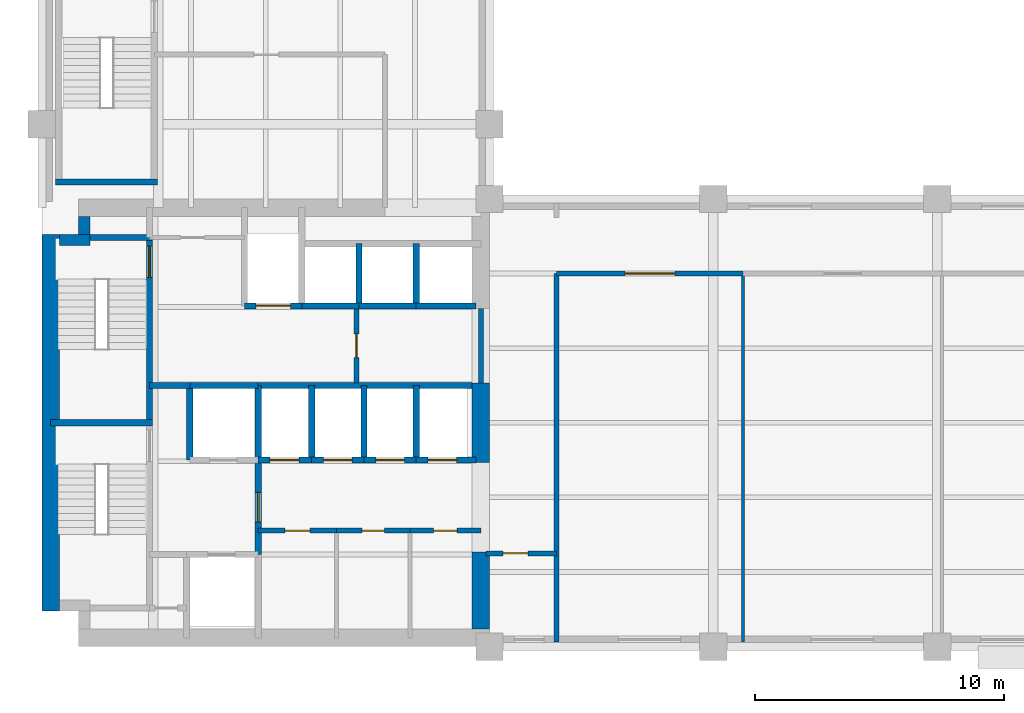
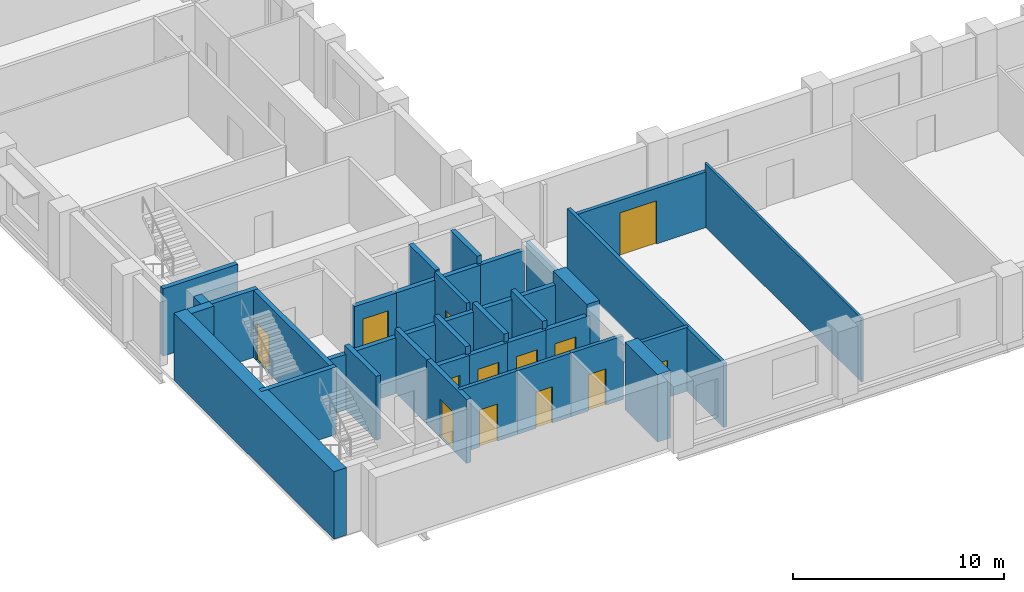
# One storey, part 3 of 8: 37 walls, 13 doors, 13 openings.
"""IFC4 building model written with IfcOpenShell, lengths in metres."""

from ifc_helpers import new_model, si_unit, direction, frame, frame_2d, origin, place, context, subcontext, project, spatial, rectangle, extrude, material, layer, layer_set, type_object, element, fill, save


model = new_model("IFC4")

# Units and contexts
model_context = context("Model", 3, precision=1e-05, world=origin(), true_north=direction((0.0, 1.0)))
body_context = subcontext(model_context, "Body", "Model", "MODEL_VIEW")
ifc_project = project(units=[si_unit("LENGTHUNIT", "METRE"), si_unit("AREAUNIT", "SQUARE_METRE"), si_unit("VOLUMEUNIT", "CUBIC_METRE"), si_unit("PLANEANGLEUNIT", "RADIAN"), si_unit("MASSUNIT", "GRAM", prefix="KILO")], contexts=[model_context])

# Site, building, storey
site_placement = place(None, origin())
site = spatial("IfcSite", under=ifc_project, at=site_placement, CompositionType="ELEMENT")
building_placement = place(site_placement, origin())
building = spatial("IfcBuilding", under=site, at=building_placement, Name="Mawjdan Bourse Tower", CompositionType="ELEMENT")
storey_placement = place(building_placement, frame((0.0, 0.0, 97.199951171875)))
storey = spatial("IfcBuildingStorey", under=building, at=storey_placement, Name="L22", CompositionType="ELEMENT", Elevation=97.199951171875)

# Wall, opening, door
ifc_material_1 = material(Name="Gypsum Fireboard Assembly")
ifc_layer_1 = layer(ifc_material_1, 0.199951171875)
ifc_layer_set_1 = layer_set([ifc_layer_1], Name="Gypsum Fireboard Assembly")
wall_type_1 = type_object("IfcWallType", Name="WL-CMP-200", PredefinedType="PARTITIONING", material=ifc_layer_set_1)
wall_1_placement = place(storey_placement, frame((14.699951171875, 7.659912109375, 0.0), z_axis=(0.0, 0.0, 1.0), x_axis=(1.0, 0.0, 0.0)))
wall_1 = element("IfcWall", 1, at=wall_1_placement, inside=storey, type_object=wall_type_1, Name="L22 Prayer & Quiet Reflection Room North Wall", PredefinedType="PARTITIONING", context=body_context, shape_type="SweptSolid", body=[
    extrude(rectangle(XDim=3.150146484375, YDim=0.199951171875, at=frame_2d((1.5751953125, 0.0))), origin(), (0.0, 0.0, 1.0), 3.68994140625),
])
opening_1_placement = place(wall_1_placement, frame((1.074951171875, 0.0, 0.0)))
opening_1 = element("IfcOpeningElement", 2, at=opening_1_placement, cuts=wall_1, Name="Opening D-L22-10", PredefinedType="OPENING", context=body_context, shape_type="SweptSolid", body=[
    extrude(rectangle(XDim=1.0, YDim=2.14990234375, at=frame_2d((0.5, 1.074951171875))), frame((0.0, 0.10986328125, 0.0), z_axis=(0.0, -1.0, 0.0), x_axis=(1.0, 0.0, 0.0)), (0.0, 0.0, 1.0), 0.219970703125),
])
ifc_material_2 = material(Name="Hardwood Acoustic Leaf", Category="wood")
door_type_1 = type_object("IfcDoorType", Name="DR-OFC-1000", OperationType="NOTDEFINED", PredefinedType="DOOR", material=ifc_material_2)
door_1_placement = place(opening_1_placement, origin())
door_1 = element("IfcDoor", 3, at=door_1_placement, inside=storey, type_object=door_type_1, Name="L22 Prayer & Quiet Reflection Room Door D-L22-10", OperationType="SINGLE_SWING_LEFT", OverallHeight=2.14990234375, OverallWidth=1.0, PredefinedType="DOOR", context=body_context, shape_type="SweptSolid", body=[
    extrude(rectangle(XDim=1.0, YDim=2.14990234375, at=frame_2d((0.5, 1.074951171875))), frame((0.0, 0.02490234375, 0.0), z_axis=(0.0, -1.0, 0.0), x_axis=(1.0, 0.0, 0.0)), (0.0, 0.0, 1.0), 0.050048828125),
])
fill(opening_1, door_1)

wall_2_placement = place(storey_placement, frame((17.85009765625, 7.659912109375, 0.0), z_axis=(0.0, 0.0, 1.0), x_axis=(1.0, 0.0, 0.0)))
wall_2 = element("IfcWall", 4, at=wall_2_placement, inside=storey, type_object=wall_type_1, Name="L22 Electrical Switchboard Room North Wall", PredefinedType="PARTITIONING", context=body_context, shape_type="SweptSolid", body=[
    extrude(rectangle(XDim=2.949951171875, YDim=0.199951171875, at=frame_2d((1.47509765625, 0.0))), origin(), (0.0, 0.0, 1.0), 3.68994140625),
])
opening_2_placement = place(wall_2_placement, frame((1.02490234375, 0.0, 0.0)))
opening_2 = element("IfcOpeningElement", 5, at=opening_2_placement, cuts=wall_2, Name="Opening D-L22-11", PredefinedType="OPENING", context=body_context, shape_type="SweptSolid", body=[
    extrude(rectangle(XDim=0.89990234375, YDim=2.10009765625, at=frame_2d((0.449951171875, 1.050048828125))), frame((0.0, 0.10986328125, 0.0), z_axis=(0.0, -1.0, 0.0), x_axis=(1.0, 0.0, 0.0)), (0.0, 0.0, 1.0), 0.219970703125),
])
ifc_material_3 = material(Name="Fire-Rated Steel Access Leaf", Category="steel")
door_type_2 = type_object("IfcDoorType", Name="FD-RSR-0900", OperationType="NOTDEFINED", PredefinedType="TRAPDOOR", material=ifc_material_3)
door_2_placement = place(opening_2_placement, origin())
door_2 = element("IfcDoor", 6, at=door_2_placement, inside=storey, type_object=door_type_2, Name="L22 Electrical Switchboard Room Door D-L22-11", OperationType="SINGLE_SWING_RIGHT", OverallHeight=2.10009765625, OverallWidth=0.89990234375, PredefinedType="TRAPDOOR", context=body_context, shape_type="SweptSolid", body=[
    extrude(rectangle(XDim=0.89990234375, YDim=2.10009765625, at=frame_2d((0.449951171875, 1.050048828125))), frame((0.0, 0.02490234375, 0.0), z_axis=(0.0, -1.0, 0.0), x_axis=(1.0, 0.0, 0.0)), (0.0, 0.0, 1.0), 0.050048828125),
])
fill(opening_2, door_2)

wall_3_placement = place(storey_placement, frame((20.800048828125, 7.659912109375, 0.0), z_axis=(0.0, 0.0, 1.0), x_axis=(1.0, 0.0, 0.0)))
wall_3 = element("IfcWall", 7, at=wall_3_placement, inside=storey, type_object=wall_type_1, Name="L22 Staff Beverage Pantry North Wall", PredefinedType="PARTITIONING", context=body_context, shape_type="SweptSolid", body=[
    extrude(rectangle(XDim=2.849853515625, YDim=0.199951171875, at=frame_2d((1.4248046875, 0.0))), origin(), (0.0, 0.0, 1.0), 3.68994140625),
])
opening_3_placement = place(wall_3_placement, frame((0.949951171875, 0.0, 0.0)))
opening_3 = element("IfcOpeningElement", 8, at=opening_3_placement, cuts=wall_3, Name="Opening D-L22-12", PredefinedType="OPENING", context=body_context, shape_type="SweptSolid", body=[
    extrude(rectangle(XDim=0.949951171875, YDim=2.10009765625, at=frame_2d((0.47509765625, 1.050048828125))), frame((0.0, 0.10986328125, 0.0), z_axis=(0.0, -1.0, 0.0), x_axis=(1.0, 0.0, 0.0)), (0.0, 0.0, 1.0), 0.219970703125),
])
ifc_material_4 = material(Name="Moisture-Resistant Laminate Timber", Category="wood")
door_type_3 = type_object("IfcDoorType", Name="DR-WET-0950", OperationType="NOTDEFINED", PredefinedType="DOOR", material=ifc_material_4)
door_3_placement = place(opening_3_placement, origin())
door_3 = element("IfcDoor", 9, at=door_3_placement, inside=storey, type_object=door_type_3, Name="L22 Staff Beverage Pantry Door D-L22-12", OperationType="SINGLE_SWING_LEFT", OverallHeight=2.10009765625, OverallWidth=0.949951171875, PredefinedType="DOOR", context=body_context, shape_type="SweptSolid", body=[
    extrude(rectangle(XDim=0.949951171875, YDim=2.10009765625, at=frame_2d((0.47509765625, 1.050048828125))), frame((0.0, 0.02490234375, 0.0), z_axis=(0.0, -1.0, 0.0), x_axis=(1.0, 0.0, 0.0)), (0.0, 0.0, 1.0), 0.050048828125),
])
fill(opening_3, door_3)

wall_4_placement = place(storey_placement, frame((18.64990234375, 13.60009765625, 0.0), z_axis=(0.0, 0.0, 1.0), x_axis=(0.0, 1.0, 0.0)))
wall_4 = element("IfcWall", 10, at=wall_4_placement, inside=storey, type_object=wall_type_1, Name="L22 Core Restroom West Wall", PredefinedType="PARTITIONING", context=body_context, shape_type="SweptSolid", body=[
    extrude(rectangle(XDim=3.0, YDim=0.199951171875, at=frame_2d((1.5, 0.0))), origin(), (0.0, 0.0, 1.0), 3.68994140625),
])
opening_4_placement = place(wall_4_placement, frame((1.02001953125, 0.0, 0.0)))
opening_4 = element("IfcOpeningElement", 11, at=opening_4_placement, cuts=wall_4, Name="Opening D-L22-17", PredefinedType="OPENING", context=body_context, shape_type="SweptSolid", body=[
    extrude(rectangle(XDim=0.949951171875, YDim=2.10009765625, at=frame_2d((0.47509765625, 1.050048828125))), frame((0.0, 0.10986328125, 0.0), z_axis=(0.0, -1.0, 0.0), x_axis=(1.0, 0.0, 0.0)), (0.0, 0.0, 1.0), 0.219970703125),
])
door_4_placement = place(opening_4_placement, origin())
door_4 = element("IfcDoor", 12, at=door_4_placement, inside=storey, type_object=door_type_3, Name="L22 Accessible WC Entry Door D-L22-17", OperationType="SINGLE_SWING_RIGHT", OverallHeight=2.10009765625, OverallWidth=0.949951171875, PredefinedType="DOOR", context=body_context, shape_type="SweptSolid", body=[
    extrude(rectangle(XDim=0.949951171875, YDim=2.10009765625, at=frame_2d((0.47509765625, 1.050048828125))), frame((0.0, 0.02490234375, 0.0), z_axis=(0.0, -1.0, 0.0), x_axis=(1.0, 0.0, 0.0)), (0.0, 0.0, 1.0), 0.050048828125),
])
fill(opening_4, door_4)

# Wall
wall_5_placement = place(storey_placement, frame((23.64990234375, 13.60009765625, 0.0), z_axis=(0.0, 0.0, 1.0), x_axis=(0.0, 1.0, 0.0)))
element("IfcWall", 13, at=wall_5_placement, inside=storey, type_object=wall_type_1, Name="L22 Core Restroom East Enclosing Wall", PredefinedType="PARTITIONING", context=body_context, shape_type="SweptSolid", body=[
    extrude(rectangle(XDim=3.0, YDim=0.199951171875, at=frame_2d((1.5, 0.0))), origin(), (0.0, 0.0, 1.0), 3.68994140625),
])

# Wall, opening, door
wall_6_placement = place(storey_placement, frame((23.85009765625, 6.75, 0.0), z_axis=(0.0, 0.0, 1.0), x_axis=(1.0, 0.0, 0.0)))
wall_6 = element("IfcWall", 14, at=wall_6_placement, inside=storey, type_object=wall_type_1, Name="L22 West Pocket North Wall", PredefinedType="PARTITIONING", context=body_context, shape_type="SweptSolid", body=[
    extrude(rectangle(XDim=2.849853515625, YDim=0.199951171875, at=frame_2d((1.4248046875, 0.0))), origin(), (0.0, 0.0, 1.0), 3.68994140625),
])
opening_5_placement = place(wall_6_placement, frame((0.699951171875, 0.0, 0.0)))
opening_5 = element("IfcOpeningElement", 15, at=opening_5_placement, cuts=wall_6, Name="Opening D-L22-20", PredefinedType="OPENING", context=body_context, shape_type="SweptSolid", body=[
    extrude(rectangle(XDim=1.0, YDim=2.14990234375, at=frame_2d((0.5, 1.074951171875))), frame((0.0, 0.10986328125, 0.0), z_axis=(0.0, -1.0, 0.0), x_axis=(1.0, 0.0, 0.0)), (0.0, 0.0, 1.0), 0.219970703125),
])
door_5_placement = place(opening_5_placement, origin())
door_5 = element("IfcDoor", 16, at=door_5_placement, inside=storey, type_object=door_type_1, Name="L22 West Pocket Office Door D-L22-20", OperationType="SINGLE_SWING_LEFT", OverallHeight=2.14990234375, OverallWidth=1.0, PredefinedType="DOOR", context=body_context, shape_type="SweptSolid", body=[
    extrude(rectangle(XDim=1.0, YDim=2.14990234375, at=frame_2d((0.5, 1.074951171875))), frame((0.0, 0.02490234375, 0.0), z_axis=(0.0, -1.0, 0.0), x_axis=(1.0, 0.0, 0.0)), (0.0, 0.0, 1.0), 0.050048828125),
])
fill(opening_5, door_5)

# Wall
wall_7_placement = place(storey_placement, frame((26.699951171875, 3.179931640625, 0.0), z_axis=(0.0, 0.0, 1.0), x_axis=(0.0, 1.0, 0.0)))
element("IfcWall", 17, at=wall_7_placement, inside=storey, type_object=wall_type_1, Name="L22 Vestibule South East Wall", PredefinedType="PARTITIONING", context=body_context, shape_type="SweptSolid", body=[
    extrude(rectangle(XDim=14.820068359375, YDim=0.199951171875, at=frame_2d((7.41015625, 0.0))), origin(), (0.0, 0.0, 1.0), 3.68994140625),
])

# Wall, opening, door
wall_8_placement = place(storey_placement, frame((26.699951171875, 18.0, 0.0), z_axis=(0.0, 0.0, 1.0), x_axis=(1.0, 0.0, 0.0)))
wall_8 = element("IfcWall", 18, at=wall_8_placement, inside=storey, type_object=wall_type_1, Name="L22 Institutional Brokerage Hall Corridor Wall", PredefinedType="PARTITIONING", context=body_context, shape_type="SweptSolid", body=[
    extrude(rectangle(XDim=7.5, YDim=0.199951171875, at=frame_2d((3.75, 0.0))), origin(), (0.0, 0.0, 1.0), 3.22705078125),
])
opening_6_placement = place(wall_8_placement, frame((2.75, 0.0, 0.0)))
opening_6 = element("IfcOpeningElement", 19, at=opening_6_placement, cuts=wall_8, Name="Opening D-L22-21", PredefinedType="OPENING", context=body_context, shape_type="SweptSolid", body=[
    extrude(rectangle(XDim=2.0, YDim=2.5, at=frame_2d((1.0, 1.25))), frame((0.0, 0.10986328125, 0.0), z_axis=(0.0, -1.0, 0.0), x_axis=(1.0, 0.0, 0.0)), (0.0, 0.0, 1.0), 0.219970703125),
])
ifc_material_5 = material(Name="Acoustic Veneered Timber", Category="wood")
door_type_4 = type_object("IfcDoorType", Name="DR-ASM-2000", OperationType="DOUBLE_DOOR_SINGLE_SWING", PredefinedType="DOOR", material=ifc_material_5)
door_6_placement = place(opening_6_placement, origin())
door_6 = element("IfcDoor", 20, at=door_6_placement, inside=storey, type_object=door_type_4, Name="L22 Institutional Brokerage Hall Door D-L22-21", OperationType="DOUBLE_DOOR_SINGLE_SWING", OverallHeight=2.5, OverallWidth=2.0, PredefinedType="DOOR", context=body_context, shape_type="SweptSolid", body=[
    extrude(rectangle(XDim=2.0, YDim=2.5, at=frame_2d((1.0, 1.25))), frame((0.0, 0.02490234375, 0.0), z_axis=(0.0, -1.0, 0.0), x_axis=(1.0, 0.0, 0.0)), (0.0, 0.0, 1.0), 0.050048828125),
])
fill(opening_6, door_6)

# Walls
ifc_material_6 = material(Name="Concrete C60/75", Category="concrete")
ifc_layer_2 = layer(ifc_material_6, 0.449951171875)
ifc_layer_set_2 = layer_set([ifc_layer_2], Name="Concrete C60/75")
wall_type_2 = type_object("IfcWallType", Name="WL-CORE-450", PredefinedType="SHEAR", material=ifc_layer_set_2)
wall_9_placement = place(storey_placement, frame((6.699951171875, 19.35009765625, 0.0), z_axis=(0.0, 0.0, 1.0), x_axis=(1.0, 0.0, 0.0)))
element("IfcWall", 21, at=wall_9_placement, inside=storey, type_object=wall_type_2, Name="L22 Rear Core Shear Wall NW-X", PredefinedType="SHEAR", context=body_context, shape_type="SweptSolid", body=[
    extrude(rectangle(XDim=1.22509765625, YDim=0.449951171875, at=frame_2d((0.612548828125, 0.0))), origin(), (0.0, 0.0, 1.0), 3.900146484375),
])
wall_10_placement = place(storey_placement, frame((7.699951171875, 19.574951171875, 0.0), z_axis=(0.0, 0.0, 1.0), x_axis=(0.0, 1.0, 0.0)))
element("IfcWall", 22, at=wall_10_placement, inside=storey, type_object=wall_type_2, Name="L22 Rear Core Shear Wall NW-Y", PredefinedType="SHEAR", context=body_context, shape_type="SweptSolid", body=[
    extrude(rectangle(XDim=0.72509765625, YDim=0.449951171875, at=frame_2d((0.362548828125, 0.0))), origin(), (0.0, 0.0, 1.0), 3.900146484375),
])
ifc_material_7 = material(Name="Concrete C70/85", Category="concrete")
ifc_layer_3 = layer(ifc_material_7, 0.699951171875)
ifc_layer_set_3 = layer_set([ifc_layer_3], Name="Concrete C70/85")
wall_type_3 = type_object("IfcWallType", Name="WL-CORE-700", PredefinedType="SHEAR", material=ifc_layer_set_3)
wall_11_placement = place(storey_placement, frame((6.35009765625, 4.425048828125, 0.0), z_axis=(0.0, 0.0, 1.0), x_axis=(0.0, 1.0, 0.0)))
element("IfcWall", 23, at=wall_11_placement, inside=storey, type_object=wall_type_3, Name="L22 Rear Core Shear Wall W", PredefinedType="SHEAR", context=body_context, shape_type="SweptSolid", body=[
    extrude(rectangle(XDim=15.14990234375, YDim=0.699951171875, at=frame_2d((7.574951171875, 0.0))), origin(), (0.0, 0.0, 1.0), 3.900146484375),
])
wall_12_placement = place(storey_placement, frame((23.64990234375, 3.699951171875, 0.0), z_axis=(0.0, 0.0, 1.0), x_axis=(0.0, 1.0, 0.0)))
element("IfcWall", 24, at=wall_12_placement, inside=storey, type_object=wall_type_3, Name="L22 Rear Core Shear Wall E1", PredefinedType="SHEAR", context=body_context, shape_type="SweptSolid", body=[
    extrude(rectangle(XDim=3.10009765625, YDim=0.699951171875, at=frame_2d((1.550048828125, 0.0))), origin(), (0.0, 0.0, 1.0), 3.900146484375),
])
wall_13_placement = place(storey_placement, frame((23.64990234375, 10.39990234375, 0.0), z_axis=(0.0, 0.0, 1.0), x_axis=(0.0, 1.0, 0.0)))
element("IfcWall", 25, at=wall_13_placement, inside=storey, type_object=wall_type_3, Name="L22 Rear Core Shear Wall E2", PredefinedType="SHEAR", context=body_context, shape_type="SweptSolid", body=[
    extrude(rectangle(XDim=3.2001953125, YDim=0.699951171875, at=frame_2d((1.60009765625, 0.0))), origin(), (0.0, 0.0, 1.0), 3.900146484375),
])
ifc_material_8 = material(Name="Gypsum Partition")
ifc_layer_4 = layer(ifc_material_8, 0.125)
ifc_layer_set_4 = layer_set([ifc_layer_4], Name="Gypsum Partition")
wall_type_4 = type_object("IfcWallType", Name="WL-PRT-125", PredefinedType="PARTITIONING", material=ifc_layer_set_4)
wall_14_placement = place(storey_placement, frame((34.199951171875, 3.179931640625, 0.0), z_axis=(0.0, 0.0, 1.0), x_axis=(0.0, 1.0, 0.0)))
element("IfcWall", 26, at=wall_14_placement, inside=storey, type_object=wall_type_4, Name="L22 Conference Room Partition", PredefinedType="PARTITIONING", context=body_context, shape_type="SweptSolid", body=[
    extrude(rectangle(XDim=14.820068359375, YDim=0.125, at=frame_2d((7.41015625, 0.0))), origin(), (0.0, 0.0, 1.0), 3.68994140625),
])
ifc_material_9 = material(Name="Concrete C50/60", Category="concrete")
ifc_layer_5 = layer(ifc_material_9, 0.25)
ifc_layer_set_5 = layer_set([ifc_layer_5], Name="Concrete C50/60")
wall_type_5 = type_object("IfcWallType", Name="WL-SHFT-250", PredefinedType="PARTITIONING", material=ifc_layer_set_5)
wall_15_placement = place(storey_placement, frame((11.949951171875, 10.5, 0.0), z_axis=(0.0, 0.0, 1.0), x_axis=(0.0, 1.0, 0.0)))
element("IfcWall", 27, at=wall_15_placement, inside=storey, type_object=wall_type_5, Name="L22 FFL-02 West Shaft Wall", PredefinedType="PARTITIONING", context=body_context, shape_type="SweptSolid", body=[
    extrude(rectangle(XDim=3.0, YDim=0.25, at=frame_2d((1.5, 0.0))), origin(), (0.0, 0.0, 1.0), 3.68994140625),
])
wall_16_placement = place(storey_placement, frame((11.949951171875, 13.5, 0.0), z_axis=(0.0, 0.0, 1.0), x_axis=(1.0, 0.0, 0.0)))
element("IfcWall", 28, at=wall_16_placement, inside=storey, type_object=wall_type_5, Name="L22 FFL-02 North Shaft Wall", PredefinedType="PARTITIONING", context=body_context, shape_type="SweptSolid", body=[
    extrude(rectangle(XDim=2.75, YDim=0.25, at=frame_2d((1.375, 0.0))), origin(), (0.0, 0.0, 1.0), 3.22705078125),
])
wall_17_placement = place(storey_placement, frame((14.699951171875, 10.5, 0.0), z_axis=(0.0, 0.0, 1.0), x_axis=(0.0, 1.0, 0.0)))
element("IfcWall", 29, at=wall_17_placement, inside=storey, type_object=wall_type_5, Name="L22 FFL-02 East Shaft Wall", PredefinedType="PARTITIONING", context=body_context, shape_type="SweptSolid", body=[
    extrude(rectangle(XDim=3.0, YDim=0.25, at=frame_2d((1.5, 0.0))), origin(), (0.0, 0.0, 1.0), 3.68994140625),
])

# Wall, opening, door
wall_18_placement = place(storey_placement, frame((14.699951171875, 6.699951171875, 0.0), z_axis=(0.0, 0.0, 1.0), x_axis=(0.0, 1.0, 0.0)))
wall_18 = element("IfcWall", 30, at=wall_18_placement, inside=storey, type_object=wall_type_5, Name="L22 Firefighting Lobby East Compartment Wall", PredefinedType="PARTITIONING", context=body_context, shape_type="SweptSolid", body=[
    extrude(rectangle(XDim=3.800048828125, YDim=0.25, at=frame_2d((1.89990234375, 0.0))), origin(), (0.0, 0.0, 1.0), 3.68994140625),
])
opening_7_placement = place(wall_18_placement, frame((1.300048828125, 0.0, 0.0)))
opening_7 = element("IfcOpeningElement", 31, at=opening_7_placement, cuts=wall_18, Name="Opening FD-L22-07", PredefinedType="OPENING", context=body_context, shape_type="SweptSolid", body=[
    extrude(rectangle(XDim=1.199951171875, YDim=2.199951171875, at=frame_2d((0.60009765625, 1.10009765625))), frame((0.0, 0.135009765625, 0.0), z_axis=(0.0, -1.0, 0.0), x_axis=(1.0, 0.0, 0.0)), (0.0, 0.0, 1.0), 0.27001953125),
])
ifc_material_10 = material(Name="Fire-Rated Steel Leaf", Category="steel")
door_type_5 = type_object("IfcDoorType", Name="FD-FFL-1200", OperationType="NOTDEFINED", PredefinedType="DOOR", material=ifc_material_10)
door_7_placement = place(opening_7_placement, origin())
door_7 = element("IfcDoor", 32, at=door_7_placement, inside=storey, type_object=door_type_5, Name="L22 Firefighting Lobby East Smoke Door FD-L22-07", OperationType="SINGLE_SWING_LEFT", OverallHeight=2.199951171875, OverallWidth=1.199951171875, PredefinedType="DOOR", context=body_context, shape_type="SweptSolid", body=[
    extrude(rectangle(XDim=1.199951171875, YDim=2.199951171875, at=frame_2d((0.60009765625, 1.10009765625))), frame((0.0, 0.02490234375, 0.0), z_axis=(0.0, -1.0, 0.0), x_axis=(1.0, 0.0, 0.0)), (0.0, 0.0, 1.0), 0.050048828125),
])
fill(opening_7, door_7)

# Wall
wall_19_placement = place(storey_placement, frame((10.330078125, 13.5, 0.0), z_axis=(0.0, 0.0, 1.0), x_axis=(1.0, 0.0, 0.0)))
element("IfcWall", 33, at=wall_19_placement, inside=storey, type_object=wall_type_5, Name="L22 Firefighting Lobby North Compartment Wall", PredefinedType="PARTITIONING", context=body_context, shape_type="SweptSolid", body=[
    extrude(rectangle(XDim=1.619873046875, YDim=0.25, at=frame_2d((0.81005859375, 0.0))), origin(), (0.0, 0.0, 1.0), 3.22705078125),
])

# Wall, opening, door
wall_20_placement = place(storey_placement, frame((14.14990234375, 16.699951171875, 0.0), z_axis=(0.0, 0.0, 1.0), x_axis=(1.0, 0.0, 0.0)))
wall_20 = element("IfcWall", 34, at=wall_20_placement, inside=storey, type_object=wall_type_5, Name="L22 SVL-01 Front Shaft Wall", PredefinedType="PARTITIONING", context=body_context, shape_type="SweptSolid", body=[
    extrude(rectangle(XDim=2.300048828125, YDim=0.25, at=frame_2d((1.14990234375, 0.0))), origin(), (0.0, 0.0, 1.0), 3.22705078125),
])
opening_8_placement = place(wall_20_placement, frame((0.449951171875, 0.0, 0.0)))
opening_8 = element("IfcOpeningElement", 35, at=opening_8_placement, cuts=wall_20, Name="Opening LD-L22-09", PredefinedType="OPENING", context=body_context, shape_type="SweptSolid", body=[
    extrude(rectangle(XDim=1.39990234375, YDim=2.35009765625, at=frame_2d((0.699951171875, 1.175048828125))), frame((0.0, 0.135009765625, 0.0), z_axis=(0.0, -1.0, 0.0), x_axis=(1.0, 0.0, 0.0)), (0.0, 0.0, 1.0), 0.27001953125),
])
ifc_material_11 = material(Name="Heavy-Duty Stainless Steel", Category="steel")
door_type_6 = type_object("IfcDoorType", Name="LD-SRV-1400", OperationType="DOUBLE_DOOR_SLIDING", PredefinedType="DOOR", material=ifc_material_11)
door_8_placement = place(opening_8_placement, origin())
door_8 = element("IfcDoor", 36, at=door_8_placement, inside=storey, type_object=door_type_6, Name="L22 Service Lift SVL-01 Landing Door LD-L22-09", OperationType="DOUBLE_DOOR_SLIDING", OverallHeight=2.35009765625, OverallWidth=1.39990234375, PredefinedType="DOOR", context=body_context, shape_type="SweptSolid", body=[
    extrude(rectangle(XDim=1.39990234375, YDim=2.35009765625, at=frame_2d((0.699951171875, 1.175048828125))), frame((0.0, 0.02490234375, 0.0), z_axis=(0.0, -1.0, 0.0), x_axis=(1.0, 0.0, 0.0)), (0.0, 0.0, 1.0), 0.050048828125),
])
fill(opening_8, door_8)

# Walls
wall_21_placement = place(storey_placement, frame((16.449951171875, 16.699951171875, 0.0), z_axis=(0.0, 0.0, 1.0), x_axis=(1.0, 0.0, 0.0)))
element("IfcWall", 37, at=wall_21_placement, inside=storey, type_object=wall_type_5, Name="L22 PH-01 Front Wall", PredefinedType="PARTITIONING", context=body_context, shape_type="SweptSolid", body=[
    extrude(rectangle(XDim=2.300048828125, YDim=0.25, at=frame_2d((1.14990234375, 0.0))), origin(), (0.0, 0.0, 1.0), 3.22705078125),
])
wall_22_placement = place(storey_placement, frame((18.75, 16.699951171875, 0.0), z_axis=(0.0, 0.0, 1.0), x_axis=(0.0, 1.0, 0.0)))
element("IfcWall", 38, at=wall_22_placement, inside=storey, type_object=wall_type_5, Name="L22 PH-01 Divider Wall", PredefinedType="PARTITIONING", context=body_context, shape_type="SweptSolid", body=[
    extrude(rectangle(XDim=2.5, YDim=0.25, at=frame_2d((1.25, 0.0))), origin(), (0.0, 0.0, 1.0), 3.68994140625),
])
wall_23_placement = place(storey_placement, frame((18.75, 16.699951171875, 0.0), z_axis=(0.0, 0.0, 1.0), x_axis=(1.0, 0.0, 0.0)))
element("IfcWall", 39, at=wall_23_placement, inside=storey, type_object=wall_type_5, Name="L22 PH-02 Front Wall", PredefinedType="PARTITIONING", context=body_context, shape_type="SweptSolid", body=[
    extrude(rectangle(XDim=2.300048828125, YDim=0.25, at=frame_2d((1.14990234375, 0.0))), origin(), (0.0, 0.0, 1.0), 3.22705078125),
])
wall_24_placement = place(storey_placement, frame((21.050048828125, 16.699951171875, 0.0), z_axis=(0.0, 0.0, 1.0), x_axis=(0.0, 1.0, 0.0)))
element("IfcWall", 40, at=wall_24_placement, inside=storey, type_object=wall_type_5, Name="L22 PH-02 Divider Wall", PredefinedType="PARTITIONING", context=body_context, shape_type="SweptSolid", body=[
    extrude(rectangle(XDim=2.5, YDim=0.25, at=frame_2d((1.25, 0.0))), origin(), (0.0, 0.0, 1.0), 3.68994140625),
])
wall_25_placement = place(storey_placement, frame((21.050048828125, 16.699951171875, 0.0), z_axis=(0.0, 0.0, 1.0), x_axis=(1.0, 0.0, 0.0)))
element("IfcWall", 41, at=wall_25_placement, inside=storey, type_object=wall_type_5, Name="L22 PH-03 Front Wall", PredefinedType="PARTITIONING", context=body_context, shape_type="SweptSolid", body=[
    extrude(rectangle(XDim=2.39990234375, YDim=0.25, at=frame_2d((1.199951171875, 0.0))), origin(), (0.0, 0.0, 1.0), 3.22705078125),
])

# Wall, opening, door
wall_26_placement = place(storey_placement, frame((14.699951171875, 10.5, 0.0), z_axis=(0.0, 0.0, 1.0), x_axis=(1.0, 0.0, 0.0)))
wall_26 = element("IfcWall", 42, at=wall_26_placement, inside=storey, type_object=wall_type_5, Name="L22 PM-01 Front Wall", PredefinedType="PARTITIONING", context=body_context, shape_type="SweptSolid", body=[
    extrude(rectangle(XDim=2.150146484375, YDim=0.25, at=frame_2d((1.0751953125, 0.0))), origin(), (0.0, 0.0, 1.0), 3.22705078125),
])
opening_9_placement = place(wall_26_placement, frame((0.47998046875, 0.0, 0.0)))
opening_9 = element("IfcOpeningElement", 43, at=opening_9_placement, cuts=wall_26, Name="Opening LD-L22-13", PredefinedType="OPENING", context=body_context, shape_type="SweptSolid", body=[
    extrude(rectangle(XDim=1.14990234375, YDim=2.25, at=frame_2d((0.574951171875, 1.125))), frame((0.0, 0.135009765625, 0.0), z_axis=(0.0, -1.0, 0.0), x_axis=(1.0, 0.0, 0.0)), (0.0, 0.0, 1.0), 0.27001953125),
])
ifc_material_12 = material(Name="Brushed Stainless Steel", Category="steel")
door_type_7 = type_object("IfcDoorType", Name="LD-PAS-1150", OperationType="DOUBLE_DOOR_SLIDING", PredefinedType="DOOR", material=ifc_material_12)
door_9_placement = place(opening_9_placement, origin())
door_9 = element("IfcDoor", 44, at=door_9_placement, inside=storey, type_object=door_type_7, Name="L22 Lift PM-01 Landing Door LD-L22-13", OperationType="DOUBLE_DOOR_SLIDING", OverallHeight=2.25, OverallWidth=1.14990234375, PredefinedType="DOOR", context=body_context, shape_type="SweptSolid", body=[
    extrude(rectangle(XDim=1.14990234375, YDim=2.25, at=frame_2d((0.574951171875, 1.125))), frame((0.0, 0.02490234375, 0.0), z_axis=(0.0, -1.0, 0.0), x_axis=(1.0, 0.0, 0.0)), (0.0, 0.0, 1.0), 0.050048828125),
])
fill(opening_9, door_9)

# Wall
wall_27_placement = place(storey_placement, frame((16.85009765625, 10.5, 0.0), z_axis=(0.0, 0.0, 1.0), x_axis=(0.0, 1.0, 0.0)))
element("IfcWall", 45, at=wall_27_placement, inside=storey, type_object=wall_type_5, Name="L22 PM-01 Divider Wall", PredefinedType="PARTITIONING", context=body_context, shape_type="SweptSolid", body=[
    extrude(rectangle(XDim=3.0, YDim=0.25, at=frame_2d((1.5, 0.0))), origin(), (0.0, 0.0, 1.0), 3.68994140625),
])

# Wall, opening, door
wall_28_placement = place(storey_placement, frame((16.85009765625, 10.5, 0.0), z_axis=(0.0, 0.0, 1.0), x_axis=(1.0, 0.0, 0.0)))
wall_28 = element("IfcWall", 46, at=wall_28_placement, inside=storey, type_object=wall_type_5, Name="L22 PM-02 Front Wall", PredefinedType="PARTITIONING", context=body_context, shape_type="SweptSolid", body=[
    extrude(rectangle(XDim=2.099853515625, YDim=0.25, at=frame_2d((1.0498046875, 0.0))), origin(), (0.0, 0.0, 1.0), 3.22705078125),
])
opening_10_placement = place(wall_28_placement, frame((0.47998046875, 0.0, 0.0)))
opening_10 = element("IfcOpeningElement", 47, at=opening_10_placement, cuts=wall_28, Name="Opening LD-L22-14", PredefinedType="OPENING", context=body_context, shape_type="SweptSolid", body=[
    extrude(rectangle(XDim=1.14990234375, YDim=2.25, at=frame_2d((0.574951171875, 1.125))), frame((0.0, 0.135009765625, 0.0), z_axis=(0.0, -1.0, 0.0), x_axis=(1.0, 0.0, 0.0)), (0.0, 0.0, 1.0), 0.27001953125),
])
door_10_placement = place(opening_10_placement, origin())
door_10 = element("IfcDoor", 48, at=door_10_placement, inside=storey, type_object=door_type_7, Name="L22 Lift PM-02 Landing Door LD-L22-14", OperationType="DOUBLE_DOOR_SLIDING", OverallHeight=2.25, OverallWidth=1.14990234375, PredefinedType="DOOR", context=body_context, shape_type="SweptSolid", body=[
    extrude(rectangle(XDim=1.14990234375, YDim=2.25, at=frame_2d((0.574951171875, 1.125))), frame((0.0, 0.02490234375, 0.0), z_axis=(0.0, -1.0, 0.0), x_axis=(1.0, 0.0, 0.0)), (0.0, 0.0, 1.0), 0.050048828125),
])
fill(opening_10, door_10)

# Wall
wall_29_placement = place(storey_placement, frame((18.949951171875, 10.5, 0.0), z_axis=(0.0, 0.0, 1.0), x_axis=(0.0, 1.0, 0.0)))
element("IfcWall", 49, at=wall_29_placement, inside=storey, type_object=wall_type_5, Name="L22 PM-02 Divider Wall", PredefinedType="PARTITIONING", context=body_context, shape_type="SweptSolid", body=[
    extrude(rectangle(XDim=3.0, YDim=0.25, at=frame_2d((1.5, 0.0))), origin(), (0.0, 0.0, 1.0), 3.68994140625),
])

# Wall, opening, door
wall_30_placement = place(storey_placement, frame((18.949951171875, 10.5, 0.0), z_axis=(0.0, 0.0, 1.0), x_axis=(1.0, 0.0, 0.0)))
wall_30 = element("IfcWall", 50, at=wall_30_placement, inside=storey, type_object=wall_type_5, Name="L22 PM-03 Front Wall", PredefinedType="PARTITIONING", context=body_context, shape_type="SweptSolid", body=[
    extrude(rectangle(XDim=2.10009765625, YDim=0.25, at=frame_2d((1.050048828125, 0.0))), origin(), (0.0, 0.0, 1.0), 3.22705078125),
])
opening_11_placement = place(wall_30_placement, frame((0.47998046875, 0.0, 0.0)))
opening_11 = element("IfcOpeningElement", 51, at=opening_11_placement, cuts=wall_30, Name="Opening LD-L22-15", PredefinedType="OPENING", context=body_context, shape_type="SweptSolid", body=[
    extrude(rectangle(XDim=1.14990234375, YDim=2.25, at=frame_2d((0.574951171875, 1.125))), frame((0.0, 0.135009765625, 0.0), z_axis=(0.0, -1.0, 0.0), x_axis=(1.0, 0.0, 0.0)), (0.0, 0.0, 1.0), 0.27001953125),
])
door_11_placement = place(opening_11_placement, origin())
door_11 = element("IfcDoor", 52, at=door_11_placement, inside=storey, type_object=door_type_7, Name="L22 Lift PM-03 Landing Door LD-L22-15", OperationType="DOUBLE_DOOR_SLIDING", OverallHeight=2.25, OverallWidth=1.14990234375, PredefinedType="DOOR", context=body_context, shape_type="SweptSolid", body=[
    extrude(rectangle(XDim=1.14990234375, YDim=2.25, at=frame_2d((0.574951171875, 1.125))), frame((0.0, 0.02490234375, 0.0), z_axis=(0.0, -1.0, 0.0), x_axis=(1.0, 0.0, 0.0)), (0.0, 0.0, 1.0), 0.050048828125),
])
fill(opening_11, door_11)

# Wall
wall_31_placement = place(storey_placement, frame((21.050048828125, 10.5, 0.0), z_axis=(0.0, 0.0, 1.0), x_axis=(0.0, 1.0, 0.0)))
element("IfcWall", 53, at=wall_31_placement, inside=storey, type_object=wall_type_5, Name="L22 PM-03 Divider Wall", PredefinedType="PARTITIONING", context=body_context, shape_type="SweptSolid", body=[
    extrude(rectangle(XDim=3.0, YDim=0.25, at=frame_2d((1.5, 0.0))), origin(), (0.0, 0.0, 1.0), 3.68994140625),
])

# Wall, opening, door
wall_32_placement = place(storey_placement, frame((21.050048828125, 10.5, 0.0), z_axis=(0.0, 0.0, 1.0), x_axis=(1.0, 0.0, 0.0)))
wall_32 = element("IfcWall", 54, at=wall_32_placement, inside=storey, type_object=wall_type_5, Name="L22 PM-04 Front Wall", PredefinedType="PARTITIONING", context=body_context, shape_type="SweptSolid", body=[
    extrude(rectangle(XDim=2.39990234375, YDim=0.25, at=frame_2d((1.199951171875, 0.0))), origin(), (0.0, 0.0, 1.0), 3.22705078125),
])
opening_12_placement = place(wall_32_placement, frame((0.47998046875, 0.0, 0.0)))
opening_12 = element("IfcOpeningElement", 55, at=opening_12_placement, cuts=wall_32, Name="Opening LD-L22-16", PredefinedType="OPENING", context=body_context, shape_type="SweptSolid", body=[
    extrude(rectangle(XDim=1.14990234375, YDim=2.25, at=frame_2d((0.574951171875, 1.125))), frame((0.0, 0.135009765625, 0.0), z_axis=(0.0, -1.0, 0.0), x_axis=(1.0, 0.0, 0.0)), (0.0, 0.0, 1.0), 0.27001953125),
])
door_12_placement = place(opening_12_placement, origin())
door_12 = element("IfcDoor", 56, at=door_12_placement, inside=storey, type_object=door_type_7, Name="L22 Lift PM-04 Landing Door LD-L22-16", OperationType="DOUBLE_DOOR_SLIDING", OverallHeight=2.25, OverallWidth=1.14990234375, PredefinedType="DOOR", context=body_context, shape_type="SweptSolid", body=[
    extrude(rectangle(XDim=1.14990234375, YDim=2.25, at=frame_2d((0.574951171875, 1.125))), frame((0.0, 0.02490234375, 0.0), z_axis=(0.0, -1.0, 0.0), x_axis=(1.0, 0.0, 0.0)), (0.0, 0.0, 1.0), 0.050048828125),
])
fill(opening_12, door_12)

# Walls
wall_33_placement = place(storey_placement, frame((14.699951171875, 13.5, 0.0), z_axis=(0.0, 0.0, 1.0), x_axis=(1.0, 0.0, 0.0)))
element("IfcWall", 57, at=wall_33_placement, inside=storey, type_object=wall_type_5, Name="L22 PM Bank North Shaft Back Wall", PredefinedType="PARTITIONING", context=body_context, shape_type="SweptSolid", body=[
    extrude(rectangle(XDim=8.949951171875, YDim=0.25, at=frame_2d((4.47509765625, 0.0))), origin(), (0.0, 0.0, 1.0), 3.22705078125),
])
ifc_layer_6 = layer(ifc_material_9, 0.25)
ifc_layer_set_6 = layer_set([ifc_layer_6], Name="Concrete C50/60")
wall_type_6 = type_object("IfcWallType", Name="WL-STRW-250", PredefinedType="SHEAR", material=ifc_layer_set_6)
wall_34_placement = place(storey_placement, frame((6.35009765625, 12.0, 0.0), z_axis=(0.0, 0.0, 1.0), x_axis=(1.0, 0.0, 0.0)))
element("IfcWall", 58, at=wall_34_placement, inside=storey, type_object=wall_type_6, Name="L22 Stairwell Dividing Shaft Wall", PredefinedType="SHEAR", context=body_context, shape_type="SweptSolid", body=[
    extrude(rectangle(XDim=4.10498046875, YDim=0.25, at=frame_2d((2.052490234375, 0.0))), origin(), (0.0, 0.0, 1.0), 3.900146484375),
])
wall_35_placement = place(storey_placement, frame((7.699951171875, 19.449951171875, 0.0), z_axis=(0.0, 0.0, 1.0), x_axis=(1.0, 0.0, 0.0)))
element("IfcWall", 59, at=wall_35_placement, inside=storey, type_object=wall_type_6, Name="L22 Stairwell ST2 North Shaft Wall", PredefinedType="SHEAR", context=body_context, shape_type="SweptSolid", body=[
    extrude(rectangle(XDim=2.755126953125, YDim=0.25, at=frame_2d((1.37744140625, 0.0))), origin(), (0.0, 0.0, 1.0), 3.900146484375),
])

# Wall, opening, door
wall_36_placement = place(storey_placement, frame((10.330078125, 12.0, 0.0), z_axis=(0.0, 0.0, 1.0), x_axis=(0.0, 1.0, 0.0)))
wall_36 = element("IfcWall", 60, at=wall_36_placement, inside=storey, type_object=wall_type_6, Name="L22 Stairwell ST2 East Enclosure Wall", PredefinedType="SHEAR", context=body_context, shape_type="SweptSolid", body=[
    extrude(rectangle(XDim=7.449951171875, YDim=0.25, at=frame_2d((3.72509765625, 0.0))), origin(), (0.0, 0.0, 1.0), 3.900146484375),
])
opening_13_placement = place(wall_36_placement, frame((5.85009765625, 0.0, 0.0)))
opening_13 = element("IfcOpeningElement", 61, at=opening_13_placement, cuts=wall_36, Name="Opening SD-L22-02", PredefinedType="OPENING", context=body_context, shape_type="SweptSolid", body=[
    extrude(rectangle(XDim=1.25, YDim=2.199951171875, at=frame_2d((0.625, 1.10009765625))), frame((0.0, 0.135009765625, 0.0), z_axis=(0.0, -1.0, 0.0), x_axis=(1.0, 0.0, 0.0)), (0.0, 0.0, 1.0), 0.27001953125),
])
door_type_8 = type_object("IfcDoorType", Name="FD-ST-1250", OperationType="NOTDEFINED", PredefinedType="DOOR", material=ifc_material_10)
door_13_placement = place(opening_13_placement, origin())
door_13 = element("IfcDoor", 62, at=door_13_placement, inside=storey, type_object=door_type_8, Name="L22 Exit Stair ST2 Fire Door SD-L22-02", OperationType="SINGLE_SWING_RIGHT", OverallHeight=2.199951171875, OverallWidth=1.25, PredefinedType="DOOR", context=body_context, shape_type="SweptSolid", body=[
    extrude(rectangle(XDim=1.25, YDim=2.199951171875, at=frame_2d((0.625, 1.10009765625))), frame((0.0, 0.02490234375, 0.0), z_axis=(0.0, -1.0, 0.0), x_axis=(1.0, 0.0, 0.0)), (0.0, 0.0, 1.0), 0.050048828125),
])
fill(opening_13, door_13)

# Wall
wall_37_placement = place(storey_placement, frame((6.554931640625, 21.679931640625, 0.0), z_axis=(0.0, 0.0, 1.0), x_axis=(1.0, 0.0, 0.0)))
element("IfcWall", 63, at=wall_37_placement, inside=storey, type_object=wall_type_6, Name="L22 ST3 South Shaft Wall", PredefinedType="SHEAR", context=body_context, shape_type="SweptSolid", body=[
    extrude(rectangle(XDim=4.090087890625, YDim=0.25, at=frame_2d((2.044921875, 0.0))), origin(), (0.0, 0.0, 1.0), 3.900146484375),
])

save(model, "model.ifc")
